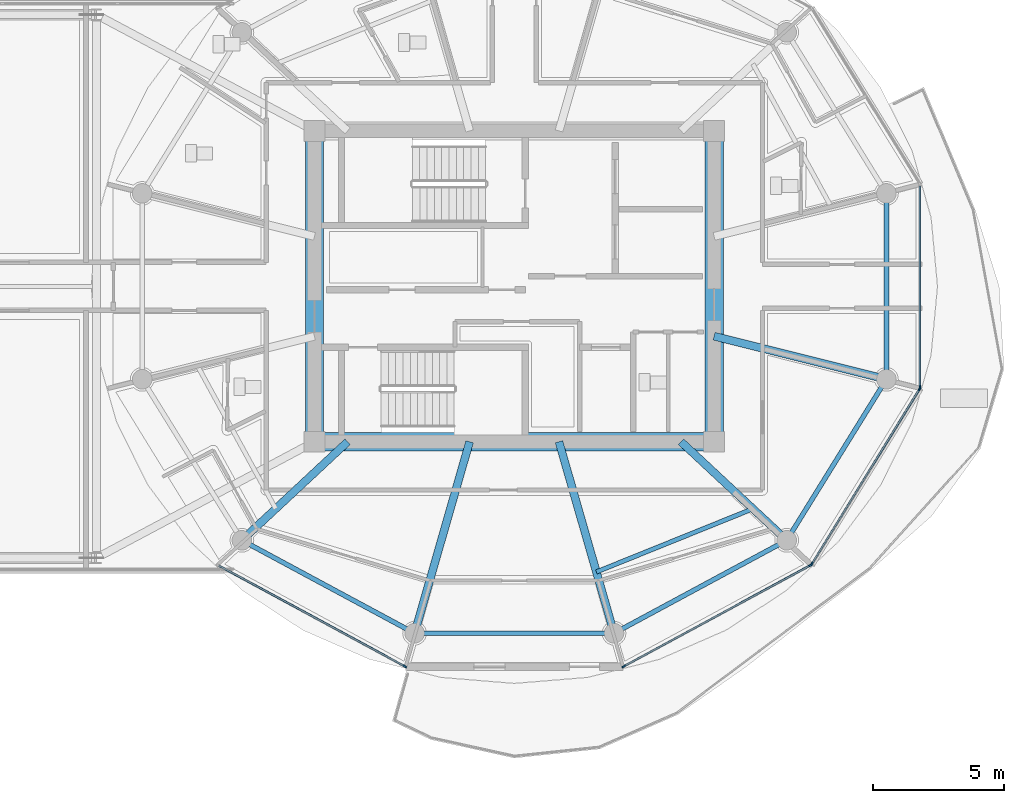
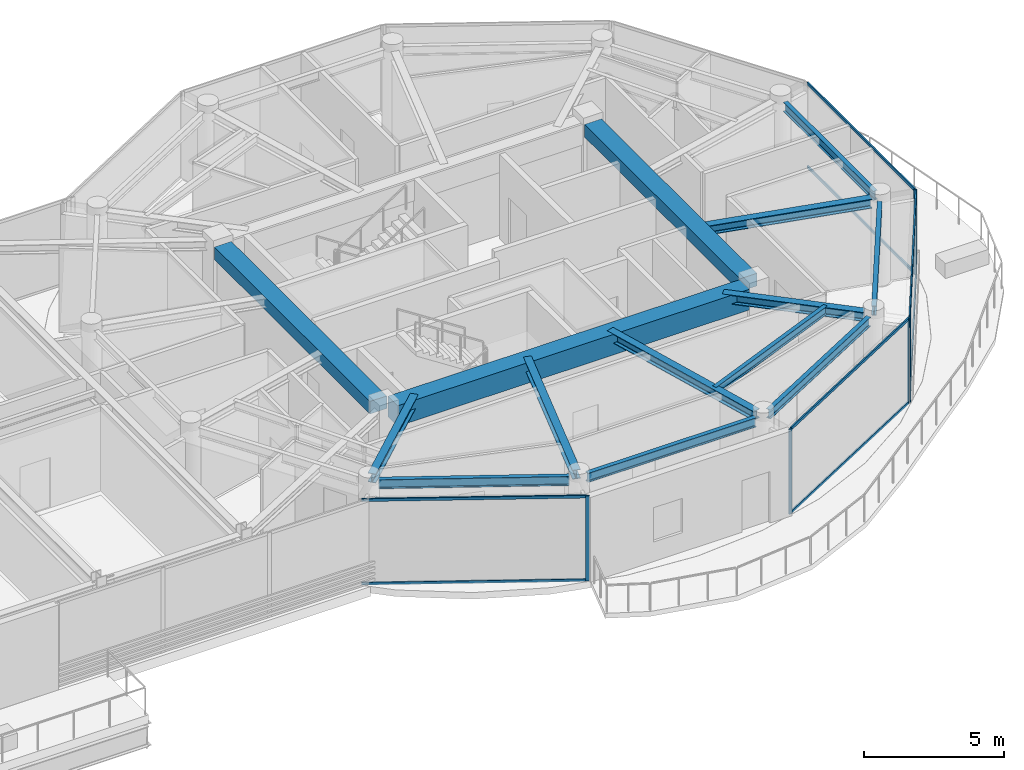
# One storey, part 9 of 31: 14 beams, 14 members, 4 elements without a shape of their own.
"""IFC4 building model written with IfcOpenShell, lengths in metres."""

from ifc_helpers import new_model, si_unit, direction, frame, origin, origin_2d, place, context, subcontext, project, spatial, rectangle, i_section, extrude, source, transform, mapped, material, layer, layer_set, material_profile, profile_set, type_object, type_shapes, element, aggregate, save


model = new_model("IFC4")

# Units and contexts
model_context = context("Model", 3, precision=1e-05, world=origin(), true_north=direction((0.0, 1.0)))
body_context = subcontext(model_context, "Body", "Model", "MODEL_VIEW")
ifc_project = project(units=[si_unit("LENGTHUNIT", "METRE"), si_unit("AREAUNIT", "SQUARE_METRE"), si_unit("VOLUMEUNIT", "CUBIC_METRE"), si_unit("PLANEANGLEUNIT", "RADIAN"), si_unit("MASSUNIT", "GRAM", prefix="KILO")], contexts=[model_context])

# Site, building, storey
site_placement = place(None, origin())
site = spatial("IfcSite", under=ifc_project, at=site_placement, CompositionType="ELEMENT")
building_placement = place(site_placement, origin())
building = spatial("IfcBuilding", under=site, at=building_placement, Name="Norrkilde Senior Care Towers", CompositionType="ELEMENT")
storey_placement = place(building_placement, frame((0.0, 0.0, 199.800048828125)))
storey = spatial("IfcBuildingStorey", under=building, at=storey_placement, Name="L62", CompositionType="ELEMENT", Elevation=199.800048828125)

# Beams
ifc_material_1 = material(Name="Concrete C60/75", Category="concrete")
ifc_material_profile_1 = material_profile(ifc_material_1, rectangle(XDim=0.699951171875, YDim=0.89990234375, at=origin_2d()), Name="RC BM 700x900")
ifc_profile_set_1 = profile_set([ifc_material_profile_1], Name="Concrete C60/75")
beam_type_1 = type_object("IfcBeamType", Name="Core Coupling Girder 700x900", PredefinedType="USERDEFINED", material=ifc_profile_set_1)
shared_shape_1 = source(origin(), body_context, "Body", "SweptSolid", [
    extrude(rectangle(XDim=0.699951171875, YDim=0.89990234375, at=origin_2d()), origin(), (0.0, 0.0, 1.0), 14.5400390625),
])
type_shapes(beam_type_1, [shared_shape_1])
beam_1_placement = place(storey_placement, frame((20.72998046875, -5.949951171875, 3.260009765625), z_axis=(1.0, 0.0, 0.0), x_axis=(0.0, 1.0, 0.0)))
element("IfcBeam", 1, at=beam_1_placement, inside=storey, type_object=beam_type_1, Name="L62 Core E S Coupling Girder", ObjectType="GIRDER", PredefinedType="USERDEFINED", context=body_context, shape_type="MappedRepresentation", body=[
    mapped(shared_shape_1, transform((0.0, 0.0, 0.0), x_axis=(1.0, 0.0, 0.0), y_axis=(0.0, 1.0, 0.0), z_axis=(0.0, 0.0, 1.0), scale=1.0)),
])
ifc_material_profile_2 = material_profile(ifc_material_1, rectangle(XDim=0.699951171875, YDim=0.550048828125, at=origin_2d()), Name="RC BM 700x550")
ifc_profile_set_2 = profile_set([ifc_material_profile_2], Name="Concrete C60/75")
beam_type_2 = type_object("IfcBeamType", Name="Core Portal Coupling Beam 700x550", PredefinedType="USERDEFINED", material=ifc_profile_set_2)
shared_shape_2 = source(origin(), body_context, "Body", "SweptSolid", [
    extrude(rectangle(XDim=0.699951171875, YDim=0.550048828125, at=origin_2d()), origin(), (0.0, 0.0, 1.0), 11.14013671875),
])
type_shapes(beam_type_2, [shared_shape_2])
for number, where, z_axis, x_axis, name in (
    (2, (20.35009765625, -5.570068359375, 3.43505859375), (0.0, 1.0, 0.0), (-1.0, 0.0, 0.0), "L62 Core E W Coupling Girder"),
    (3, (35.64990234375, -5.570068359375, 3.43505859375), (0.0, 1.0, 0.0), (-1.0, 0.0, 0.0), "L62 Core E E Coupling Girder"),
):
    element("IfcBeam", number, at=place(storey_placement, frame(where, z_axis=z_axis, x_axis=x_axis)), inside=storey, type_object=beam_type_2, Name=name, ObjectType="GIRDER", PredefinedType="USERDEFINED", context=body_context, shape_type="MappedRepresentation", body=[
        mapped(shared_shape_2, transform((0.0, 0.0, 0.0), x_axis=(1.0, 0.0, 0.0), y_axis=(0.0, 1.0, 0.0), z_axis=(0.0, 0.0, 1.0), scale=1.0)),
    ])
ifc_material_2 = material(Name="Steel S355", Category="steel")
ifc_material_profile_3 = material_profile(ifc_material_2, i_section(OverallWidth=0.179931640625, OverallDepth=0.39990234375, WebThickness=0.008544921875, FlangeThickness=0.013427734375, FilletRadius=0.02099609375, at=origin_2d()), Name="IPE 400")
ifc_profile_set_3 = profile_set([ifc_material_profile_3], Name="Steel S355")
beam_type_3 = type_object("IfcBeamType", Name="Perimeter Ring Spandrel Z4 IPE400", PredefinedType="SPANDREL", material=ifc_profile_set_3)
shared_shape_3 = source(origin(), body_context, "Body", "SweptSolid", [
    extrude(i_section(OverallWidth=0.179931640625, OverallDepth=0.39990234375, WebThickness=0.008544921875, FlangeThickness=0.013427734375, FilletRadius=0.02099609375, at=origin_2d()), origin(), (0.0, 0.0, 1.0), 6.58056640625),
])
beam_2_placement = place(storey_placement, frame((38.606201171875, -9.43798828125, 3.510009765625), z_axis=(0.526529583789, 0.850156807533, 0.0), x_axis=(-0.850156807533, 0.526529583789, 0.0)))
element("IfcBeam", 4, at=beam_2_placement, inside=storey, type_object=beam_type_3, Name="L62 Drum E Perimeter Spandrel 11", PredefinedType="SPANDREL", context=body_context, shape_type="MappedRepresentation", body=[
    mapped(shared_shape_3, transform((0.0, 0.0, 0.0), x_axis=(1.0, 0.0, 0.0), y_axis=(0.0, 1.0, 0.0), z_axis=(0.0, 0.0, 1.0), scale=1.0)),
])
ifc_material_profile_4 = material_profile(ifc_material_2, i_section(OverallWidth=0.300048828125, OverallDepth=0.39990234375, WebThickness=0.013427734375, FlangeThickness=0.02392578125, FilletRadius=0.027099609375, at=origin_2d()), Name="HEB 400")
ifc_profile_set_4 = profile_set([ifc_material_profile_4], Name="Steel S355")
beam_type_4 = type_object("IfcBeamType", Name="Radial Floor Beam Z4 HEB400", PredefinedType="BEAM", material=ifc_profile_set_4)
shared_shape_4 = source(origin(), body_context, "Body", "SweptSolid", [
    extrude(i_section(OverallWidth=0.300048828125, OverallDepth=0.39990234375, WebThickness=0.013427734375, FlangeThickness=0.02392578125, FilletRadius=0.027099609375, at=origin_2d()), origin(), (0.0, 0.0, 1.0), 6.465087890625),
])
beam_3_placement = place(storey_placement, frame((35.64990234375, -1.910888671875, 3.510009765625), z_axis=(0.970195788563, -0.242322371758, 0.0), x_axis=(0.242322371758, 0.970195788563, 0.0)))
element("IfcBeam", 5, at=beam_3_placement, inside=storey, type_object=beam_type_4, Name="L62 Drum E Radial Floor Beam 12", PredefinedType="BEAM", context=body_context, shape_type="MappedRepresentation", body=[
    mapped(shared_shape_4, transform((0.0, 0.0, 0.0), x_axis=(1.0, 0.0, 0.0), y_axis=(0.0, 1.0, 0.0), z_axis=(0.0, 0.0, 1.0), scale=1.0)),
])
shared_shape_5 = source(origin(), body_context, "Body", "SweptSolid", [
    extrude(i_section(OverallWidth=0.179931640625, OverallDepth=0.39990234375, WebThickness=0.008544921875, FlangeThickness=0.013427734375, FilletRadius=0.02099609375, at=origin_2d()), origin(), (0.0, 0.0, 1.0), 6.839111328125),
])
for number, where, z_axis, x_axis, name in (
    (6, (17.865234375, -9.881591796875, 3.510009765625), (0.880563930732, -0.473927382511, 0.0), (0.473927382511, 0.880563930732, 0.0), "L62 Drum E Perimeter Spandrel 08"),
    (7, (32.112548828125, -13.122802734375, 3.510009765625), (0.880563930732, 0.473927382511, 0.0), (-0.473927382511, 0.880563930732, 0.0), "L62 Drum E Perimeter Spandrel 10"),
):
    element("IfcBeam", number, at=place(storey_placement, frame(where, z_axis=z_axis, x_axis=x_axis)), inside=storey, type_object=beam_type_3, Name=name, PredefinedType="SPANDREL", context=body_context, shape_type="MappedRepresentation", body=[
        mapped(shared_shape_5, transform((0.0, 0.0, 0.0), x_axis=(1.0, 0.0, 0.0), y_axis=(0.0, 1.0, 0.0), z_axis=(0.0, 0.0, 1.0), scale=1.0)),
    ])
shared_shape_6 = source(origin(), body_context, "Body", "SweptSolid", [
    extrude(i_section(OverallWidth=0.300048828125, OverallDepth=0.39990234375, WebThickness=0.013427734375, FlangeThickness=0.02392578125, FilletRadius=0.027099609375, at=origin_2d()), origin(), (0.0, 0.0, 1.0), 5.197998046875),
])
for number, where, z_axis, x_axis, name in (
    (8, (21.6171875, -5.949951171875, 3.510009765625), (-0.731448749334, -0.681896419625, 0.0), (0.681896419625, -0.731448749334, 0.0), "L62 Drum E Radial Floor Beam 08"),
    (9, (34.3828125, -5.949951171875, 3.510009765625), (0.731448749334, -0.681896419625, 0.0), (0.681896419625, 0.731448749334, 0.0), "L62 Drum E Radial Floor Beam 11"),
):
    element("IfcBeam", number, at=place(storey_placement, frame(where, z_axis=z_axis, x_axis=x_axis)), inside=storey, type_object=beam_type_4, Name=name, PredefinedType="BEAM", context=body_context, shape_type="MappedRepresentation", body=[
        mapped(shared_shape_6, transform((0.0, 0.0, 0.0), x_axis=(1.0, 0.0, 0.0), y_axis=(0.0, 1.0, 0.0), z_axis=(0.0, 0.0, 1.0), scale=1.0)),
    ])
shared_shape_7 = source(origin(), body_context, "Body", "SweptSolid", [
    extrude(i_section(OverallWidth=0.179931640625, OverallDepth=0.39990234375, WebThickness=0.008544921875, FlangeThickness=0.013427734375, FilletRadius=0.02099609375, at=origin_2d()), origin(), (0.0, 0.0, 1.0), 6.96533203125),
])
beam_4_placement = place(storey_placement, frame((24.517333984375, -13.281494140625, 3.510009765625), z_axis=(1.0, 0.0, 0.0), x_axis=(0.0, 1.0, 0.0)))
element("IfcBeam", 10, at=beam_4_placement, inside=storey, type_object=beam_type_3, Name="L62 Drum E Perimeter Spandrel 09", PredefinedType="SPANDREL", context=body_context, shape_type="MappedRepresentation", body=[
    mapped(shared_shape_7, transform((0.0, 0.0, 0.0), x_axis=(1.0, 0.0, 0.0), y_axis=(0.0, 1.0, 0.0), z_axis=(0.0, 0.0, 1.0), scale=1.0)),
])
shared_shape_8 = source(origin(), body_context, "Body", "SweptSolid", [
    extrude(i_section(OverallWidth=0.300048828125, OverallDepth=0.39990234375, WebThickness=0.013427734375, FlangeThickness=0.02392578125, FilletRadius=0.027099609375, at=origin_2d()), origin(), (0.0, 0.0, 1.0), 7.29345703125),
])
type_shapes(beam_type_4, [shared_shape_4, shared_shape_6, shared_shape_8])
for number, where, z_axis, x_axis, name in (
    (11, (26.289794921875, -5.949951171875, 3.510009765625), (-0.276263751906, -0.961081858836, 0.0), (0.961081858836, -0.276263751906, 0.0), "L62 Drum E Radial Floor Beam 09"),
    (12, (29.710205078125, -5.949951171875, 3.510009765625), (0.276263751906, -0.961081858836, 0.0), (0.961081858836, 0.276263751906, 0.0), "L62 Drum E Radial Floor Beam 10"),
):
    element("IfcBeam", number, at=place(storey_placement, frame(where, z_axis=z_axis, x_axis=x_axis)), inside=storey, type_object=beam_type_4, Name=name, PredefinedType="BEAM", context=body_context, shape_type="MappedRepresentation", body=[
        mapped(shared_shape_8, transform((0.0, 0.0, 0.0), x_axis=(1.0, 0.0, 0.0), y_axis=(0.0, 1.0, 0.0), z_axis=(0.0, 0.0, 1.0), scale=1.0)),
    ])
shared_shape_9 = source(origin(), body_context, "Body", "SweptSolid", [
    extrude(i_section(OverallWidth=0.179931640625, OverallDepth=0.39990234375, WebThickness=0.008544921875, FlangeThickness=0.013427734375, FilletRadius=0.02099609375, at=origin_2d()), origin(), (0.0, 0.0, 1.0), 6.44775390625),
])
type_shapes(beam_type_3, [shared_shape_3, shared_shape_5, shared_shape_7, shared_shape_9])
beam_5_placement = place(storey_placement, frame((42.247314453125, -3.223876953125, 3.510009765625), z_axis=(0.0, 1.0, 0.0), x_axis=(-1.0, 0.0, 0.0)))
element("IfcBeam", 13, at=beam_5_placement, inside=storey, type_object=beam_type_3, Name="L62 Drum E Perimeter Spandrel 12", PredefinedType="SPANDREL", context=body_context, shape_type="MappedRepresentation", body=[
    mapped(shared_shape_9, transform((0.0, 0.0, 0.0), x_axis=(1.0, 0.0, 0.0), y_axis=(0.0, 1.0, 0.0), z_axis=(0.0, 0.0, 1.0), scale=1.0)),
])
ifc_material_profile_5 = material_profile(ifc_material_2, i_section(OverallWidth=0.169921875, OverallDepth=0.360107421875, WebThickness=0.008056640625, FlangeThickness=0.0126953125, FilletRadius=0.01806640625, at=origin_2d()), Name="IPE 360")
ifc_profile_set_5 = profile_set([ifc_material_profile_5], Name="Steel S355")
beam_type_5 = type_object("IfcBeamType", Name="Secondary Floor Joist IPE360", PredefinedType="JOIST", material=ifc_profile_set_5)
shared_shape_10 = source(origin(), body_context, "Body", "SweptSolid", [
    extrude(i_section(OverallWidth=0.169921875, OverallDepth=0.360107421875, WebThickness=0.008056640625, FlangeThickness=0.0126953125, FilletRadius=0.01806640625, at=origin_2d()), origin(), (0.0, 0.0, 1.0), 6.461669921875),
])
type_shapes(beam_type_5, [shared_shape_10])
beam_6_placement = place(storey_placement, frame((31.143310546875, -10.935302734375, 3.530029296875), z_axis=(0.927225942298, 0.374502405772, 0.0), x_axis=(-0.374502405772, 0.927225942298, 0.0)))
element("IfcBeam", 14, at=beam_6_placement, inside=storey, type_object=beam_type_5, Name="L62 Drum E Secondary Floor Joist 4", PredefinedType="JOIST", context=body_context, shape_type="MappedRepresentation", body=[
    mapped(shared_shape_10, transform((0.0, 0.0, 0.0), x_axis=(1.0, 0.0, 0.0), y_axis=(0.0, 1.0, 0.0), z_axis=(0.0, 0.0, 1.0), scale=1.0)),
])

# Curtain wall, members
ifc_material_3 = material(Name="Triple Low-E Insulated Glazing", Category="glass")
ifc_layer = layer(ifc_material_3, 0.18505859375)
ifc_layer_set = layer_set([ifc_layer], Name="Triple Low-E Insulated Glazing")
curtain_wall_type = type_object("IfcCurtainWallType", Name="CW6 Zone 4 Crown Pavilion Curtain Wall", PredefinedType="NOTDEFINED", material=ifc_layer_set)
curtain_wall_1_placement = place(storey_placement, origin())
curtain_wall_1 = element("IfcCurtainWall", 15, at=curtain_wall_1_placement, inside=storey, type_object=curtain_wall_type, Name="L62 Drum E Curtain Wall 10", PredefinedType="NOTDEFINED")
ifc_material_4 = material(Name="Anodised Aluminium", Category="aluminium")
ifc_material_profile_6 = material_profile(ifc_material_4, rectangle(XDim=0.06005859375, YDim=0.1201171875, at=origin_2d()), Name="ALU TRAN 60x120")
ifc_profile_set_6 = profile_set([ifc_material_profile_6], Name="Anodised Aluminium")
member_type_1 = type_object("IfcMemberType", Name="Curtain Wall Transom Typical 60x120", PredefinedType="USERDEFINED", material=ifc_profile_set_6)
shared_shape_11 = source(origin(), body_context, "Body", "SweptSolid", [
    extrude(rectangle(XDim=0.06005859375, YDim=0.1201171875, at=origin_2d()), origin(), (0.0, 0.0, 1.0), 7.808837890625),
])
member_1_placement = place(storey_placement, frame((43.498046875, -3.958251953125, 0.030029296875), z_axis=(-0.524250924101, -0.851563837055, 0.0), x_axis=(0.851563837055, -0.524250924101, 0.0)))
member_1 = element("IfcMember", 16, at=member_1_placement, type_object=member_type_1, Name="CW-6 transom 1.1", ObjectType="TRANSOM", PredefinedType="USERDEFINED", context=body_context, shape_type="MappedRepresentation", body=[
    mapped(shared_shape_11, transform((0.0, 0.0, 0.0), x_axis=(1.0, 0.0, 0.0), y_axis=(0.0, 1.0, 0.0), z_axis=(0.0, 0.0, 1.0), scale=1.0)),
])
member_2_placement = place(storey_placement, frame((43.498046875, -3.958251953125, 3.679931640625), z_axis=(-0.524250924101, -0.851563837055, 0.0), x_axis=(0.851563837055, -0.524250924101, 0.0)))
member_2 = element("IfcMember", 17, at=member_2_placement, type_object=member_type_1, Name="CW-6 transom 1.2", ObjectType="TRANSOM", PredefinedType="USERDEFINED", context=body_context, shape_type="MappedRepresentation", body=[
    mapped(shared_shape_11, transform((0.0, 0.0, 0.0), x_axis=(1.0, 0.0, 0.0), y_axis=(0.0, 1.0, 0.0), z_axis=(0.0, 0.0, 1.0), scale=1.0)),
])

curtain_wall_2_placement = place(storey_placement, origin())
curtain_wall_2 = element("IfcCurtainWall", 18, at=curtain_wall_2_placement, inside=storey, type_object=curtain_wall_type, Name="L62 Drum E Curtain Wall 07", PredefinedType="NOTDEFINED")
shared_shape_12 = source(origin(), body_context, "Body", "SweptSolid", [
    extrude(rectangle(XDim=0.06005859375, YDim=0.1201171875, at=origin_2d()), origin(), (0.0, 0.0, 1.0), 8.0673828125),
])
member_3_placement = place(storey_placement, frame((23.781005859375, -14.53515625, 0.030029296875), z_axis=(-0.87937750072, 0.476125205411, 0.0), x_axis=(-0.476125205411, -0.87937750072, 0.0)))
member_3 = element("IfcMember", 19, at=member_3_placement, type_object=member_type_1, Name="CW-6 transom 1.1", ObjectType="TRANSOM", PredefinedType="USERDEFINED", context=body_context, shape_type="MappedRepresentation", body=[
    mapped(shared_shape_12, transform((0.0, 0.0, 0.0), x_axis=(1.0, 0.0, 0.0), y_axis=(0.0, 1.0, 0.0), z_axis=(0.0, 0.0, 1.0), scale=1.0)),
])
member_4_placement = place(storey_placement, frame((23.781005859375, -14.53515625, 3.679931640625), z_axis=(-0.87937750072, 0.476125205411, 0.0), x_axis=(-0.476125205411, -0.87937750072, 0.0)))
member_4 = element("IfcMember", 20, at=member_4_placement, type_object=member_type_1, Name="CW-6 transom 1.2", ObjectType="TRANSOM", PredefinedType="USERDEFINED", context=body_context, shape_type="MappedRepresentation", body=[
    mapped(shared_shape_12, transform((0.0, 0.0, 0.0), x_axis=(1.0, 0.0, 0.0), y_axis=(0.0, 1.0, 0.0), z_axis=(0.0, 0.0, 1.0), scale=1.0)),
])

curtain_wall_3_placement = place(storey_placement, origin())
curtain_wall_3 = element("IfcCurtainWall", 21, at=curtain_wall_3_placement, inside=storey, type_object=curtain_wall_type, Name="L62 Drum E Curtain Wall 09", PredefinedType="NOTDEFINED")
member_5_placement = place(storey_placement, frame((39.313232421875, -10.694091796875, 0.030029296875), z_axis=(-0.87937750072, -0.476125205411, 0.0), x_axis=(0.476125205411, -0.87937750072, 0.0)))
member_5 = element("IfcMember", 22, at=member_5_placement, type_object=member_type_1, Name="CW-6 transom 1.1", ObjectType="TRANSOM", PredefinedType="USERDEFINED", context=body_context, shape_type="MappedRepresentation", body=[
    mapped(shared_shape_12, transform((0.0, 0.0, 0.0), x_axis=(1.0, 0.0, 0.0), y_axis=(0.0, 1.0, 0.0), z_axis=(0.0, 0.0, 1.0), scale=1.0)),
])
member_6_placement = place(storey_placement, frame((39.313232421875, -10.694091796875, 3.679931640625), z_axis=(-0.87937750072, -0.476125205411, 0.0), x_axis=(0.476125205411, -0.87937750072, 0.0)))
member_6 = element("IfcMember", 23, at=member_6_placement, type_object=member_type_1, Name="CW-6 transom 1.2", ObjectType="TRANSOM", PredefinedType="USERDEFINED", context=body_context, shape_type="MappedRepresentation", body=[
    mapped(shared_shape_12, transform((0.0, 0.0, 0.0), x_axis=(1.0, 0.0, 0.0), y_axis=(0.0, 1.0, 0.0), z_axis=(0.0, 0.0, 1.0), scale=1.0)),
])

curtain_wall_4_placement = place(storey_placement, origin())
curtain_wall_4 = element("IfcCurtainWall", 24, at=curtain_wall_4_placement, inside=storey, type_object=curtain_wall_type, Name="L62 Drum E Curtain Wall 11", PredefinedType="NOTDEFINED")
shared_shape_13 = source(origin(), body_context, "Body", "SweptSolid", [
    extrude(rectangle(XDim=0.06005859375, YDim=0.1201171875, at=origin_2d()), origin(), (0.0, 0.0, 1.0), 7.67578125),
])
type_shapes(member_type_1, [shared_shape_11, shared_shape_12, shared_shape_13])
member_7_placement = place(storey_placement, frame((43.531982421875, 3.837890625, 0.030029296875), z_axis=(0.0, -1.0, 0.0), x_axis=(1.0, 0.0, 0.0)))
member_7 = element("IfcMember", 25, at=member_7_placement, type_object=member_type_1, Name="CW-6 transom 1.1", ObjectType="TRANSOM", PredefinedType="USERDEFINED", context=body_context, shape_type="MappedRepresentation", body=[
    mapped(shared_shape_13, transform((0.0, 0.0, 0.0), x_axis=(1.0, 0.0, 0.0), y_axis=(0.0, 1.0, 0.0), z_axis=(0.0, 0.0, 1.0), scale=1.0)),
])
member_8_placement = place(storey_placement, frame((43.531982421875, 3.837890625, 3.679931640625), z_axis=(0.0, -1.0, 0.0), x_axis=(1.0, 0.0, 0.0)))
member_8 = element("IfcMember", 26, at=member_8_placement, type_object=member_type_1, Name="CW-6 transom 1.2", ObjectType="TRANSOM", PredefinedType="USERDEFINED", context=body_context, shape_type="MappedRepresentation", body=[
    mapped(shared_shape_13, transform((0.0, 0.0, 0.0), x_axis=(1.0, 0.0, 0.0), y_axis=(0.0, 1.0, 0.0), z_axis=(0.0, 0.0, 1.0), scale=1.0)),
])

# Member
ifc_material_profile_7 = material_profile(ifc_material_4, rectangle(XDim=0.06494140625, YDim=0.14990234375, at=origin_2d()), Name="ALU MULL 65x150")
ifc_profile_set_7 = profile_set([ifc_material_profile_7], Name="Anodised Aluminium")
member_type_2 = type_object("IfcMemberType", Name="Curtain Wall Mullion Z3-Z4 65x150", PredefinedType="MULLION", material=ifc_profile_set_7)
shared_shape_14 = source(origin(), body_context, "Body", "SweptSolid", [
    extrude(rectangle(XDim=0.06494140625, YDim=0.14990234375, at=origin_2d()), origin(), (0.0, 0.0, 1.0), 3.7099609375),
])
type_shapes(member_type_2, [shared_shape_14])
member_9_placement = place(storey_placement, frame((23.8095703125, -14.55078125, 0.0), z_axis=(0.0, 0.0, 1.0), x_axis=(-0.476132676136, -0.879373455772, 0.0)))
member_9 = element("IfcMember", 27, at=member_9_placement, type_object=member_type_2, Name="CW-6 mullion 1", PredefinedType="MULLION", context=body_context, shape_type="MappedRepresentation", body=[
    mapped(shared_shape_14, transform((0.0, 0.0, 0.0), x_axis=(1.0, 0.0, 0.0), y_axis=(0.0, 1.0, 0.0), z_axis=(0.0, 0.0, 1.0), scale=1.0)),
])

aggregate(curtain_wall_2, [member_9, member_3, member_4])

member_10_placement = place(storey_placement, frame((39.341796875, -10.6787109375, 0.0), z_axis=(0.0, 0.0, 1.0), x_axis=(0.476132676136, -0.879373455772, 0.0)))
member_10 = element("IfcMember", 28, at=member_10_placement, type_object=member_type_2, Name="CW-6 mullion 1", PredefinedType="MULLION", context=body_context, shape_type="MappedRepresentation", body=[
    mapped(shared_shape_14, transform((0.0, 0.0, 0.0), x_axis=(1.0, 0.0, 0.0), y_axis=(0.0, 1.0, 0.0), z_axis=(0.0, 0.0, 1.0), scale=1.0)),
])

member_11_placement = place(storey_placement, frame((32.1904296875, -14.55078125, 0.0), z_axis=(0.0, 0.0, 1.0), x_axis=(0.476132676136, -0.879373455772, 0.0)))
member_11 = element("IfcMember", 29, at=member_11_placement, type_object=member_type_2, Name="CW-6 mullion 2", PredefinedType="MULLION", context=body_context, shape_type="MappedRepresentation", body=[
    mapped(shared_shape_14, transform((0.0, 0.0, 0.0), x_axis=(1.0, 0.0, 0.0), y_axis=(0.0, 1.0, 0.0), z_axis=(0.0, 0.0, 1.0), scale=1.0)),
])

aggregate(curtain_wall_3, [member_10, member_11, member_5, member_6])

member_12_placement = place(storey_placement, frame((43.51513671875, -3.9306640625, 0.0), z_axis=(0.0, 0.0, 1.0), x_axis=(0.851562727283, -0.524252726748, 0.0)))
member_12 = element("IfcMember", 30, at=member_12_placement, type_object=member_type_2, Name="CW-6 mullion 1", PredefinedType="MULLION", context=body_context, shape_type="MappedRepresentation", body=[
    mapped(shared_shape_14, transform((0.0, 0.0, 0.0), x_axis=(1.0, 0.0, 0.0), y_axis=(0.0, 1.0, 0.0), z_axis=(0.0, 0.0, 1.0), scale=1.0)),
])

member_13_placement = place(storey_placement, frame((39.38720703125, -10.635498046875, 0.0), z_axis=(0.0, 0.0, 1.0), x_axis=(0.851562727283, -0.524252726748, 0.0)))
member_13 = element("IfcMember", 31, at=member_13_placement, type_object=member_type_2, Name="CW-6 mullion 2", PredefinedType="MULLION", context=body_context, shape_type="MappedRepresentation", body=[
    mapped(shared_shape_14, transform((0.0, 0.0, 0.0), x_axis=(1.0, 0.0, 0.0), y_axis=(0.0, 1.0, 0.0), z_axis=(0.0, 0.0, 1.0), scale=1.0)),
])

aggregate(curtain_wall_1, [member_12, member_13, member_1, member_2])

member_14_placement = place(storey_placement, frame((43.531982421875, -3.87060546875, 0.0), z_axis=(0.0, 0.0, 1.0), x_axis=(1.0, 0.0, 0.0)))
member_14 = element("IfcMember", 32, at=member_14_placement, type_object=member_type_2, Name="CW-6 mullion 2", PredefinedType="MULLION", context=body_context, shape_type="MappedRepresentation", body=[
    mapped(shared_shape_14, transform((0.0, 0.0, 0.0), x_axis=(1.0, 0.0, 0.0), y_axis=(0.0, 1.0, 0.0), z_axis=(0.0, 0.0, 1.0), scale=1.0)),
])

aggregate(curtain_wall_4, [member_14, member_7, member_8])

save(model, "model.ifc")
